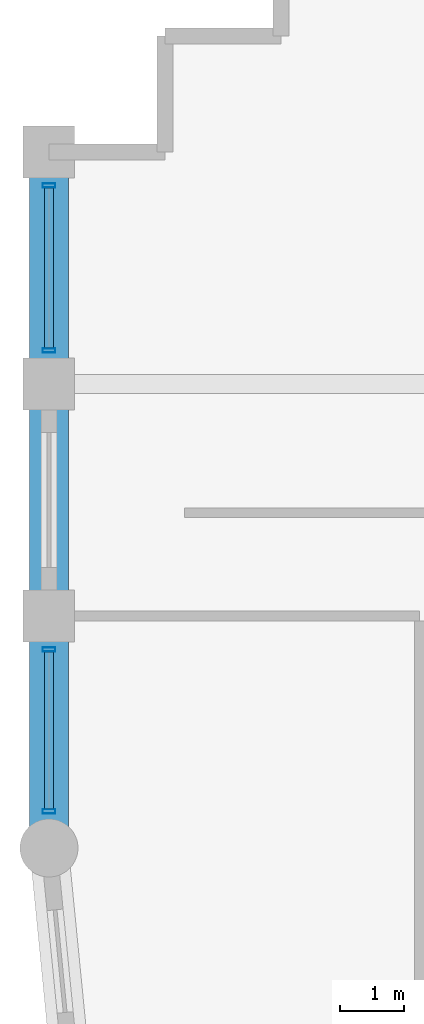
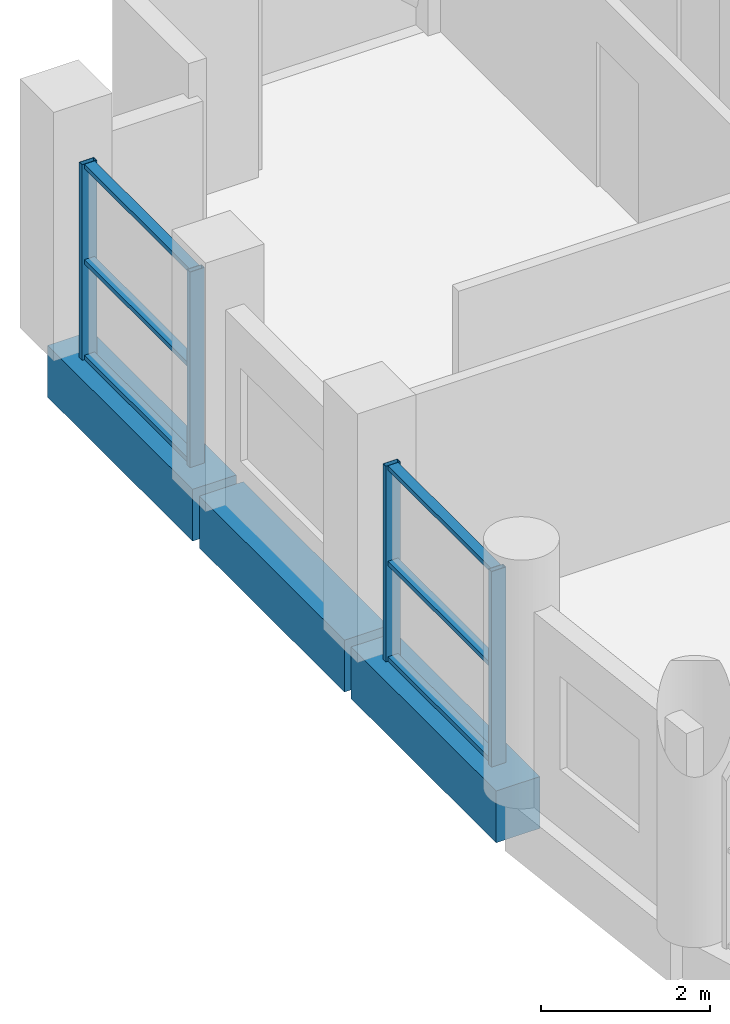
# One storey, part 7 of 17: 10 members, 3 beams, 2 elements without a shape of their own.
"""IFC4 building model written with IfcOpenShell, lengths in metres."""

from ifc_helpers import new_model, si_unit, direction, frame, origin, origin_2d, place, context, subcontext, project, spatial, rectangle, hollow_rectangle, extrude, material, layer, layer_set, material_profile, profile_set, type_object, element, aggregate, save


model = new_model("IFC4")

# Units and contexts
model_context = context("Model", 3, precision=1e-05, world=origin(), true_north=direction((0.0, 1.0)))
body_context = subcontext(model_context, "Body", "Model", "MODEL_VIEW")
ifc_project = project(units=[si_unit("LENGTHUNIT", "METRE"), si_unit("AREAUNIT", "SQUARE_METRE"), si_unit("VOLUMEUNIT", "CUBIC_METRE"), si_unit("PLANEANGLEUNIT", "RADIAN"), si_unit("MASSUNIT", "GRAM", prefix="KILO")], contexts=[model_context])

# Site, building, storey
site_placement = place(None, origin())
site = spatial("IfcSite", under=ifc_project, at=site_placement, CompositionType="ELEMENT")
building_placement = place(site_placement, origin())
building = spatial("IfcBuilding", under=site, at=building_placement, Name="Solnavia Interchange Tower", CompositionType="ELEMENT")
storey_placement = place(building_placement, frame((0.0, 0.0, 291.800048828125)))
storey = spatial("IfcBuildingStorey", under=building, at=storey_placement, Name="L74", CompositionType="ELEMENT", Elevation=291.800048828125)

# Beams
ifc_material_1 = material(Name="Concrete C50/60", Category="concrete")
ifc_material_profile_1 = material_profile(ifc_material_1, rectangle(XDim=0.60009765625, YDim=0.75, at=origin_2d()), Name="RC 600x750")
ifc_profile_set_1 = profile_set([ifc_material_profile_1], Name="Concrete C50/60")
beam_type = type_object("IfcBeamType", Name="Beam-Spandrel-RC600x750", PredefinedType="SPANDREL", material=ifc_profile_set_1)
beam_1_placement = place(storey_placement, frame((7.199951171875, 32.320068359375, -0.375), z_axis=(0.0, -1.0, 0.0), x_axis=(1.0, 0.0, 0.0)))
element("IfcBeam", 1, at=beam_1_placement, inside=storey, type_object=beam_type, Name="SPB-L74-25 Framed-tube perimeter spandrel beam", PredefinedType="SPANDREL", context=body_context, shape_type="SweptSolid", body=[
    extrude(rectangle(XDim=0.60009765625, YDim=0.75, at=origin_2d()), origin(), (0.0, 0.0, 1.0), 3.440185546875),
])
beam_2_placement = place(storey_placement, frame((7.199951171875, 28.719970703125, -0.375), z_axis=(0.0, -1.0, 0.0), x_axis=(1.0, 0.0, 0.0)))
element("IfcBeam", 2, at=beam_2_placement, inside=storey, type_object=beam_type, Name="SPB-L74-26 Framed-tube perimeter spandrel beam", PredefinedType="SPANDREL", context=body_context, shape_type="SweptSolid", body=[
    extrude(rectangle(XDim=0.60009765625, YDim=0.75, at=origin_2d()), origin(), (0.0, 0.0, 1.0), 3.43994140625),
])
beam_3_placement = place(storey_placement, frame((7.199951171875, 25.1201171875, -0.375), z_axis=(0.0, -1.0, 0.0), x_axis=(1.0, 0.0, 0.0)))
element("IfcBeam", 3, at=beam_3_placement, inside=storey, type_object=beam_type, Name="SPB-L74-27 Framed-tube perimeter spandrel beam", PredefinedType="SPANDREL", context=body_context, shape_type="SweptSolid", body=[
    extrude(rectangle(XDim=0.60009765625, YDim=0.75, at=origin_2d()), origin(), (0.0, 0.0, 1.0), 3.440185546875),
])

# Curtain wall, members
ifc_material_2 = material(Name="Aluminium Alloy 6063-T6", Category="aluminium")
ifc_layer = layer(ifc_material_2, 0.219970703125)
ifc_layer_set = layer_set([ifc_layer], Name="Aluminium Alloy 6063-T6")
curtain_wall_type = type_object("IfcCurtainWallType", Name="CurtainWall-Tower-CTW3", PredefinedType="NOTDEFINED", material=ifc_layer_set)
curtain_wall_1_placement = place(storey_placement, origin())
curtain_wall_1 = element("IfcCurtainWall", 4, at=curtain_wall_1_placement, inside=storey, type_object=curtain_wall_type, Name="CTW-L74-S34 CTW-3 curtain wall", PredefinedType="NOTDEFINED")
ifc_material_profile_2 = material_profile(ifc_material_2, hollow_rectangle(XDim=0.070068359375, YDim=0.199951171875, WallThickness=0.0048828125, at=origin_2d()), Name="ALU 200x70x5")
ifc_profile_set_2 = profile_set([ifc_material_profile_2], Name="Aluminium Alloy 6063-T6")
member_type_1 = type_object("IfcMemberType", Name="CW-Mullion-CWM-3", PredefinedType="MULLION", material=ifc_profile_set_2)
member_1_placement = place(storey_placement, frame((7.199951171875, 31.8798828125, 0.0), z_axis=(0.0, 0.0, 1.0), x_axis=(0.0, -1.0, 0.0)))
member_1 = element("IfcMember", 5, at=member_1_placement, type_object=member_type_1, Name="CTW-3 mullion 1", PredefinedType="MULLION", context=body_context, shape_type="SweptSolid", body=[
    extrude(hollow_rectangle(XDim=0.070068359375, YDim=0.199951171875, WallThickness=0.0048828125, at=origin_2d()), origin(), (0.0, 0.0, 1.0), 2.829833984375),
])
member_2_placement = place(storey_placement, frame((7.199951171875, 29.320068359375, 0.0), z_axis=(0.0, 0.0, 1.0), x_axis=(0.0, -1.0, 0.0)))
member_2 = element("IfcMember", 6, at=member_2_placement, type_object=member_type_1, Name="CTW-3 mullion 2", PredefinedType="MULLION", context=body_context, shape_type="SweptSolid", body=[
    extrude(hollow_rectangle(XDim=0.070068359375, YDim=0.199951171875, WallThickness=0.0048828125, at=origin_2d()), origin(), (0.0, 0.0, 1.0), 2.829833984375),
])

curtain_wall_2_placement = place(storey_placement, origin())
curtain_wall_2 = element("IfcCurtainWall", 7, at=curtain_wall_2_placement, inside=storey, type_object=curtain_wall_type, Name="CTW-L74-S36 CTW-3 curtain wall", PredefinedType="NOTDEFINED")
member_3_placement = place(storey_placement, frame((7.199951171875, 24.679931640625, 0.0), z_axis=(0.0, 0.0, 1.0), x_axis=(0.0, -1.0, 0.0)))
member_3 = element("IfcMember", 8, at=member_3_placement, type_object=member_type_1, Name="CTW-3 mullion 1", PredefinedType="MULLION", context=body_context, shape_type="SweptSolid", body=[
    extrude(hollow_rectangle(XDim=0.070068359375, YDim=0.199951171875, WallThickness=0.0048828125, at=origin_2d()), origin(), (0.0, 0.0, 1.0), 2.829833984375),
])
member_4_placement = place(storey_placement, frame((7.199951171875, 22.169921875, 0.0), z_axis=(0.0, 0.0, 1.0), x_axis=(0.0, -1.0, 0.0)))
member_4 = element("IfcMember", 9, at=member_4_placement, type_object=member_type_1, Name="CTW-3 mullion 2", PredefinedType="MULLION", context=body_context, shape_type="SweptSolid", body=[
    extrude(hollow_rectangle(XDim=0.070068359375, YDim=0.199951171875, WallThickness=0.0048828125, at=origin_2d()), origin(), (0.0, 0.0, 1.0), 2.829833984375),
])

# Member
ifc_material_profile_3 = material_profile(ifc_material_2, hollow_rectangle(XDim=0.06494140625, YDim=0.139892578125, WallThickness=0.00390625, at=origin_2d()), Name="ALU 140x65x4")
ifc_profile_set_3 = profile_set([ifc_material_profile_3], Name="Aluminium Alloy 6063-T6")
member_type_2 = type_object("IfcMemberType", Name="CW-Transom-CWT-3", PredefinedType="USERDEFINED", material=ifc_profile_set_3)
member_5_placement = place(storey_placement, frame((7.199951171875, 31.844970703125, 0.032470703125), z_axis=(0.0, -1.0, 0.0), x_axis=(0.0, 0.0, 1.0)))
member_5 = element("IfcMember", 10, at=member_5_placement, type_object=member_type_2, Name="CTW-3 transom 1.1", ObjectType="TRANSOM", PredefinedType="USERDEFINED", context=body_context, shape_type="SweptSolid", body=[
    extrude(hollow_rectangle(XDim=0.06494140625, YDim=0.139892578125, WallThickness=0.00390625, at=origin_2d()), origin(), (0.0, 0.0, 1.0), 2.489990234375),
])

member_6_placement = place(storey_placement, frame((7.199951171875, 31.844970703125, 1.4150390625), z_axis=(0.0, -1.0, 0.0), x_axis=(0.0, 0.0, 1.0)))
member_6 = element("IfcMember", 11, at=member_6_placement, type_object=member_type_2, Name="CTW-3 transom 1.2", ObjectType="TRANSOM", PredefinedType="USERDEFINED", context=body_context, shape_type="SweptSolid", body=[
    extrude(hollow_rectangle(XDim=0.06494140625, YDim=0.139892578125, WallThickness=0.00390625, at=origin_2d()), origin(), (0.0, 0.0, 1.0), 2.489990234375),
])

member_7_placement = place(storey_placement, frame((7.199951171875, 31.844970703125, 2.79736328125), z_axis=(0.0, -1.0, 0.0), x_axis=(0.0, 0.0, 1.0)))
member_7 = element("IfcMember", 12, at=member_7_placement, type_object=member_type_2, Name="CTW-3 transom 1.3", ObjectType="TRANSOM", PredefinedType="USERDEFINED", context=body_context, shape_type="SweptSolid", body=[
    extrude(hollow_rectangle(XDim=0.06494140625, YDim=0.139892578125, WallThickness=0.00390625, at=origin_2d()), origin(), (0.0, 0.0, 1.0), 2.489990234375),
])

aggregate(curtain_wall_1, [member_1, member_2, member_5, member_6, member_7])

member_8_placement = place(storey_placement, frame((7.199951171875, 24.64501953125, 0.032470703125), z_axis=(0.0, -1.0, 0.0), x_axis=(0.0, 0.0, 1.0)))
member_8 = element("IfcMember", 13, at=member_8_placement, type_object=member_type_2, Name="CTW-3 transom 1.1", ObjectType="TRANSOM", PredefinedType="USERDEFINED", context=body_context, shape_type="SweptSolid", body=[
    extrude(hollow_rectangle(XDim=0.06494140625, YDim=0.139892578125, WallThickness=0.00390625, at=origin_2d()), origin(), (0.0, 0.0, 1.0), 2.43994140625),
])

member_9_placement = place(storey_placement, frame((7.199951171875, 24.64501953125, 1.4150390625), z_axis=(0.0, -1.0, 0.0), x_axis=(0.0, 0.0, 1.0)))
member_9 = element("IfcMember", 14, at=member_9_placement, type_object=member_type_2, Name="CTW-3 transom 1.2", ObjectType="TRANSOM", PredefinedType="USERDEFINED", context=body_context, shape_type="SweptSolid", body=[
    extrude(hollow_rectangle(XDim=0.06494140625, YDim=0.139892578125, WallThickness=0.00390625, at=origin_2d()), origin(), (0.0, 0.0, 1.0), 2.43994140625),
])

member_10_placement = place(storey_placement, frame((7.199951171875, 24.64501953125, 2.79736328125), z_axis=(0.0, -1.0, 0.0), x_axis=(0.0, 0.0, 1.0)))
member_10 = element("IfcMember", 15, at=member_10_placement, type_object=member_type_2, Name="CTW-3 transom 1.3", ObjectType="TRANSOM", PredefinedType="USERDEFINED", context=body_context, shape_type="SweptSolid", body=[
    extrude(hollow_rectangle(XDim=0.06494140625, YDim=0.139892578125, WallThickness=0.00390625, at=origin_2d()), origin(), (0.0, 0.0, 1.0), 2.43994140625),
])

aggregate(curtain_wall_2, [member_3, member_4, member_8, member_9, member_10])

save(model, "model.ifc")
